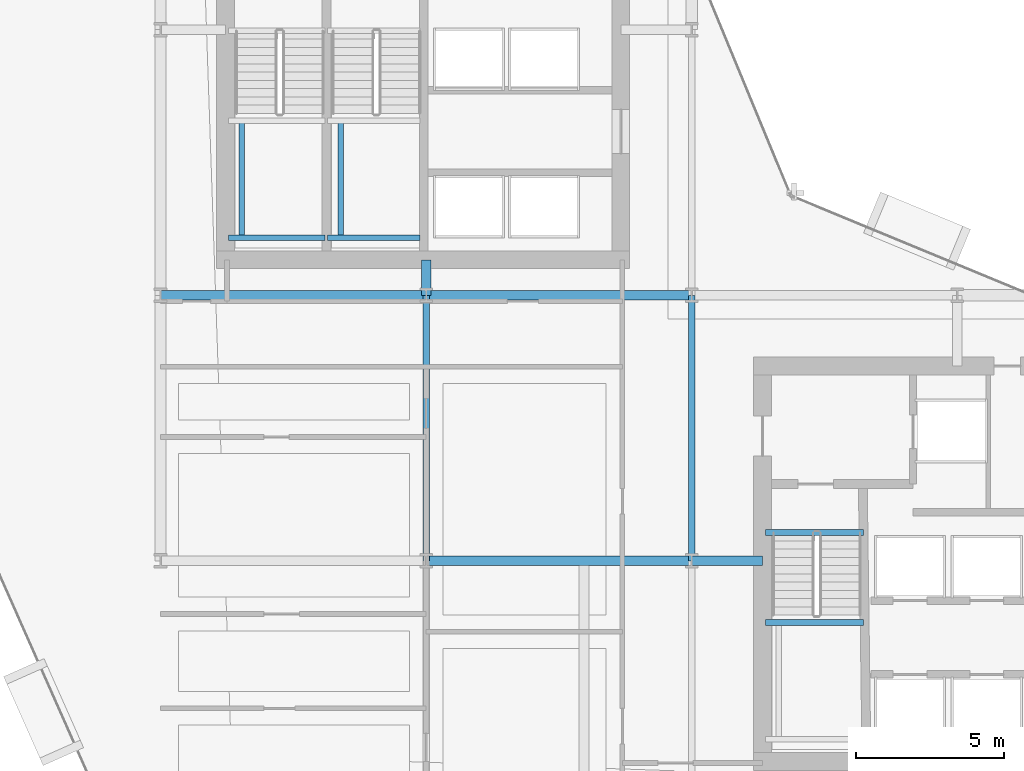
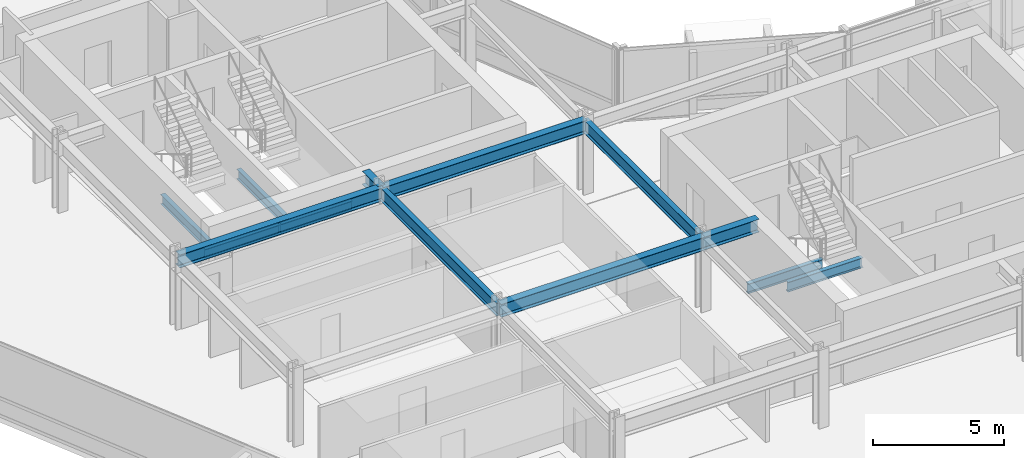
# One storey, part 7 of 34: 13 beams.
"""IFC4 building model written with IfcOpenShell, lengths in metres."""

from ifc_helpers import new_model, si_unit, direction, frame, origin, origin_2d, place, context, subcontext, project, spatial, i_section, extrude, material, material_profile, profile_set, type_object, element, save


model = new_model("IFC4")

# Units and contexts
model_context = context("Model", 3, precision=1e-05, world=origin(), true_north=direction((0.0, 1.0)))
body_context = subcontext(model_context, "Body", "Model", "MODEL_VIEW")
ifc_project = project(units=[si_unit("LENGTHUNIT", "METRE"), si_unit("AREAUNIT", "SQUARE_METRE"), si_unit("VOLUMEUNIT", "CUBIC_METRE"), si_unit("PLANEANGLEUNIT", "RADIAN"), si_unit("MASSUNIT", "GRAM", prefix="KILO")], contexts=[model_context])

# Site, building, storey
site_placement = place(None, origin())
site = spatial("IfcSite", under=ifc_project, at=site_placement, CompositionType="ELEMENT")
building_placement = place(site_placement, origin())
building = spatial("IfcBuilding", under=site, at=building_placement, Name="Solvaryn Broadcast Tower", CompositionType="ELEMENT")
storey_placement = place(building_placement, frame((0.0, 0.0, 58.199951171875)))
storey = spatial("IfcBuildingStorey", under=building, at=storey_placement, Name="L13", CompositionType="ELEMENT", Elevation=58.199951171875)

# Beams
ifc_material_1 = material(Name="Steel ASTM A992 Grade 50", Category="steel")
ifc_material_profile_1 = material_profile(ifc_material_1, i_section(OverallWidth=0.323974609375, OverallDepth=0.611083984375, WebThickness=0.0126953125, FlangeThickness=0.01904296875, FilletRadius=0.014892578125, at=origin_2d()))
ifc_profile_set_1 = profile_set([ifc_material_profile_1], Name="Steel ASTM A992 Grade 50")
beam_type_1 = type_object("IfcBeamType", Name="BM-B1-W24X104", PredefinedType="BEAM", material=ifc_profile_set_1)
for number, where, z_axis, x_axis, name in (
    (1, (18.0, 18.0, 3.114501953125), (1.0, 0.0, 0.0), (0.0, 1.0, 0.0), "L13 Primary Beam X (18-27 @ Y=18)"),
    (2, (9.0, 27.0, 3.114501953125), (1.0, 0.0, 0.0), (0.0, 1.0, 0.0), "L13 Primary Beam X (9-18 @ Y=27)"),
    (3, (18.0, 27.0, 3.114501953125), (1.0, 0.0, 0.0), (0.0, 1.0, 0.0), "L13 Primary Beam X (18-27 @ Y=27)"),
):
    element("IfcBeam", number, at=place(storey_placement, frame(where, z_axis=z_axis, x_axis=x_axis)), inside=storey, type_object=beam_type_1, Name=name, PredefinedType="BEAM", context=body_context, shape_type="SweptSolid", body=[
        extrude(i_section(OverallWidth=0.323974609375, OverallDepth=0.611083984375, WebThickness=0.0126953125, FlangeThickness=0.01904296875, FilletRadius=0.014892578125, at=origin_2d()), origin(), (0.0, 0.0, 1.0), 9.0),
    ])
beam_1_placement = place(storey_placement, frame((18.0, 27.0, 3.114501953125), z_axis=(0.0, 1.0, 0.0), x_axis=(-1.0, 0.0, 0.0)))
element("IfcBeam", 4, at=beam_1_placement, inside=storey, type_object=beam_type_1, Name="L13 Core Tie Beam CTW4", PredefinedType="BEAM", context=body_context, shape_type="SweptSolid", body=[
    extrude(i_section(OverallWidth=0.323974609375, OverallDepth=0.611083984375, WebThickness=0.0126953125, FlangeThickness=0.01904296875, FilletRadius=0.014892578125, at=origin_2d()), origin(), (0.0, 0.0, 1.0), 1.199951171875),
])
beam_2_placement = place(storey_placement, frame((27.0, 18.0, 3.114501953125), z_axis=(1.0, 0.0, 0.0), x_axis=(0.0, 1.0, 0.0)))
element("IfcBeam", 5, at=beam_2_placement, inside=storey, type_object=beam_type_1, Name="L13 Core Tie Beam CTE4", PredefinedType="BEAM", context=body_context, shape_type="SweptSolid", body=[
    extrude(i_section(OverallWidth=0.323974609375, OverallDepth=0.611083984375, WebThickness=0.0126953125, FlangeThickness=0.01904296875, FilletRadius=0.014892578125, at=origin_2d()), origin(), (0.0, 0.0, 1.0), 2.39990234375),
])
ifc_material_2 = material(Name="Steel ASTM A992 Grade 50", Category="steel")
ifc_material_profile_2 = material_profile(ifc_material_2, i_section(OverallWidth=0.22802734375, OverallDepth=0.60791015625, WebThickness=0.01123046875, FlangeThickness=0.017333984375, FilletRadius=0.014892578125, at=origin_2d()))
ifc_profile_set_2 = profile_set([ifc_material_profile_2], Name="Steel ASTM A992 Grade 50")
beam_type_2 = type_object("IfcBeamType", Name="BM-B2-W24X76", PredefinedType="BEAM", material=ifc_profile_set_2)
for number, where, z_axis, x_axis, name in (
    (6, (18.0, 18.0, 3.115966796875), (0.0, 1.0, 0.0), (-1.0, 0.0, 0.0), "L13 Primary Beam Y (18-27 @ X=18)"),
    (7, (27.0, 18.0, 3.115966796875), (0.0, 1.0, 0.0), (-1.0, 0.0, 0.0), "L13 Primary Beam Y (18-27 @ X=27)"),
):
    element("IfcBeam", number, at=place(storey_placement, frame(where, z_axis=z_axis, x_axis=x_axis)), inside=storey, type_object=beam_type_2, Name=name, PredefinedType="BEAM", context=body_context, shape_type="SweptSolid", body=[
        extrude(i_section(OverallWidth=0.22802734375, OverallDepth=0.60791015625, WebThickness=0.01123046875, FlangeThickness=0.017333984375, FilletRadius=0.014892578125, at=origin_2d()), origin(), (0.0, 0.0, 1.0), 9.0),
    ])
ifc_material_3 = material(Name="Steel ASTM A992 Grade 50", Category="steel")
ifc_material_profile_3 = material_profile(ifc_material_3, i_section(OverallWidth=0.18994140625, OverallDepth=0.45703125, WebThickness=0.009033203125, FlangeThickness=0.014404296875, FilletRadius=0.011962890625, at=origin_2d()))
ifc_profile_set_3 = profile_set([ifc_material_profile_3], Name="Steel ASTM A992 Grade 50")
beam_type_3 = type_object("IfcBeamType", Name="BM-B4-W18X50", PredefinedType="BEAM", material=ifc_profile_set_3)
beam_3_placement = place(storey_placement, frame((11.300048828125, 28.949951171875, 1.421630859375), z_axis=(1.0, 0.0, 0.0), x_axis=(0.0, 1.0, 0.0)))
element("IfcBeam", 8, at=beam_3_placement, inside=storey, type_object=beam_type_3, Name="L13 ST1 Landing Support Beam 1A", PredefinedType="BEAM", context=body_context, shape_type="SweptSolid", body=[
    extrude(i_section(OverallWidth=0.18994140625, OverallDepth=0.45703125, WebThickness=0.009033203125, FlangeThickness=0.014404296875, FilletRadius=0.011962890625, at=origin_2d()), origin(), (0.0, 0.0, 1.0), 3.280029296875),
])
beam_4_placement = place(storey_placement, frame((11.75, 28.949951171875, 1.421630859375), z_axis=(0.0, 1.0, 0.0), x_axis=(-1.0, 0.0, 0.0)))
element("IfcBeam", 9, at=beam_4_placement, inside=storey, type_object=beam_type_3, Name="L13 ST1 Landing Cross Stringer 1C", PredefinedType="BEAM", context=body_context, shape_type="SweptSolid", body=[
    extrude(i_section(OverallWidth=0.18994140625, OverallDepth=0.45703125, WebThickness=0.009033203125, FlangeThickness=0.014404296875, FilletRadius=0.011962890625, at=origin_2d()), origin(), (0.0, 0.0, 1.0), 3.9599609375),
])
beam_5_placement = place(storey_placement, frame((14.659912109375, 28.949951171875, 1.421630859375), z_axis=(1.0, 0.0, 0.0), x_axis=(0.0, 1.0, 0.0)))
element("IfcBeam", 10, at=beam_5_placement, inside=storey, type_object=beam_type_3, Name="L13 ST2 Landing Support Beam 1A", PredefinedType="BEAM", context=body_context, shape_type="SweptSolid", body=[
    extrude(i_section(OverallWidth=0.18994140625, OverallDepth=0.45703125, WebThickness=0.009033203125, FlangeThickness=0.014404296875, FilletRadius=0.011962890625, at=origin_2d()), origin(), (0.0, 0.0, 1.0), 3.14013671875),
])
beam_6_placement = place(storey_placement, frame((15.110107421875, 28.949951171875, 1.421630859375), z_axis=(0.0, 1.0, 0.0), x_axis=(-1.0, 0.0, 0.0)))
element("IfcBeam", 11, at=beam_6_placement, inside=storey, type_object=beam_type_3, Name="L13 ST2 Landing Cross Stringer 1C", PredefinedType="BEAM", context=body_context, shape_type="SweptSolid", body=[
    extrude(i_section(OverallWidth=0.18994140625, OverallDepth=0.45703125, WebThickness=0.009033203125, FlangeThickness=0.014404296875, FilletRadius=0.011962890625, at=origin_2d()), origin(), (0.0, 0.0, 1.0), 3.9599609375),
])
for number, where, z_axis, x_axis, name in (
    (12, (29.5, 18.9599609375, -0.508544921875), (1.0, 0.0, 0.0), (0.0, 1.0, 0.0), "L13 ST3 Stair Well Trimmer Beam"),
    (13, (29.5, 15.909912109375, 1.421630859375), (1.0, 0.0, 0.0), (0.0, 1.0, 0.0), "L13 ST3 Landing Support Beam 1B"),
):
    element("IfcBeam", number, at=place(storey_placement, frame(where, z_axis=z_axis, x_axis=x_axis)), inside=storey, type_object=beam_type_3, Name=name, PredefinedType="BEAM", context=body_context, shape_type="SweptSolid", body=[
        extrude(i_section(OverallWidth=0.18994140625, OverallDepth=0.45703125, WebThickness=0.009033203125, FlangeThickness=0.014404296875, FilletRadius=0.011962890625, at=origin_2d()), origin(), (0.0, 0.0, 1.0), 3.320068359375),
    ])

save(model, "model.ifc")
